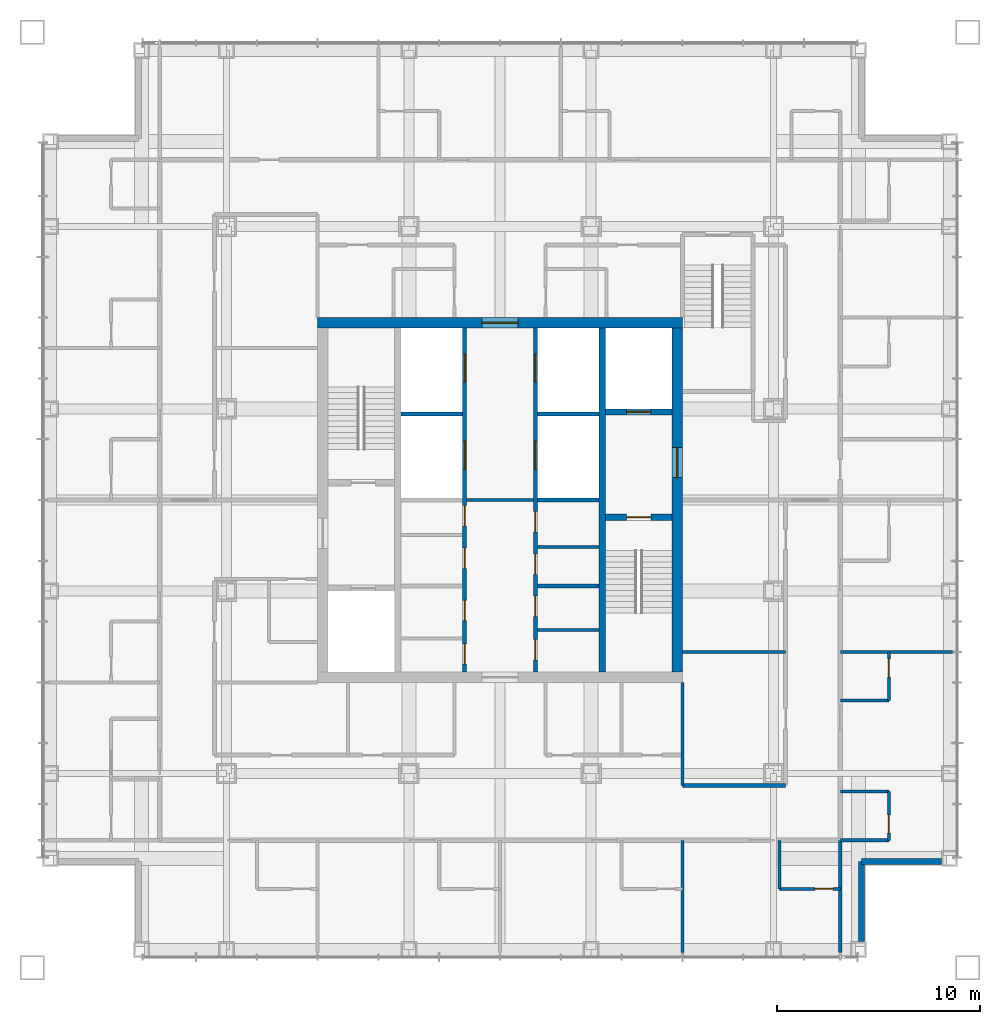
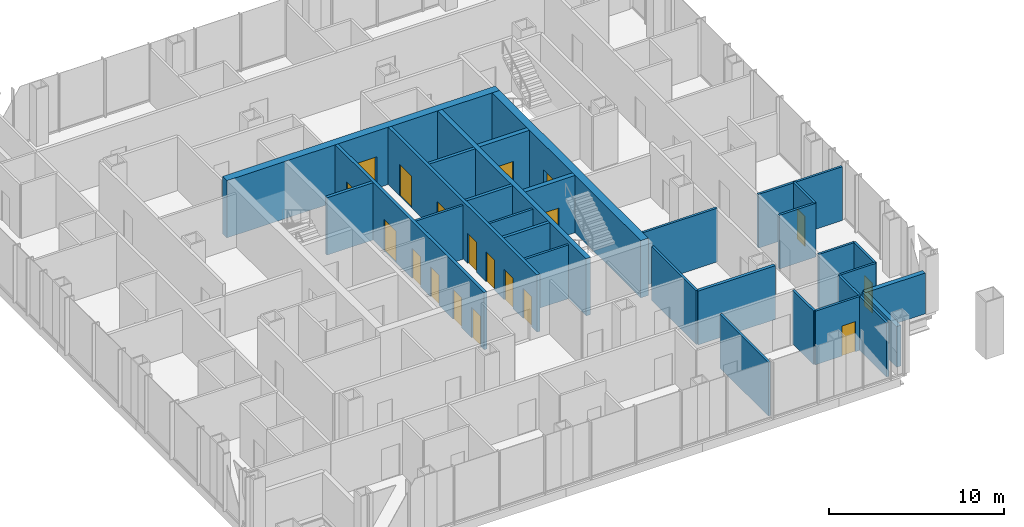
# One storey, part 8 of 15: 29 walls, 19 doors, 19 openings.
"""IFC4 building model written with IfcOpenShell, lengths in metres."""

from ifc_helpers import new_model, si_unit, direction, frame, frame_2d, origin, place, context, subcontext, project, spatial, rectangle, extrude, material, layer, layer_set, type_object, element, fill, save


model = new_model("IFC4")

# Units and contexts
model_context = context("Model", 3, precision=1e-05, world=origin(), true_north=direction((0.0, 1.0)))
body_context = subcontext(model_context, "Body", "Model", "MODEL_VIEW")
ifc_project = project(units=[si_unit("LENGTHUNIT", "METRE"), si_unit("AREAUNIT", "SQUARE_METRE"), si_unit("VOLUMEUNIT", "CUBIC_METRE"), si_unit("PLANEANGLEUNIT", "RADIAN"), si_unit("MASSUNIT", "GRAM", prefix="KILO")], contexts=[model_context])

# Site, building, storey
site_placement = place(None, origin())
site = spatial("IfcSite", under=ifc_project, at=site_placement, CompositionType="ELEMENT")
building_placement = place(site_placement, origin())
building = spatial("IfcBuilding", under=site, at=building_placement, Name="Malebo Sky Hospital", CompositionType="ELEMENT")
storey_placement = place(building_placement, frame((0.0, 0.0, 217.0)))
storey = spatial("IfcBuildingStorey", under=building, at=storey_placement, Name="L52", CompositionType="ELEMENT", Elevation=217.0)

# Wall, openings, doors
ifc_material_1 = material(Name="Concrete C80/95", Category="concrete")
ifc_layer_1 = layer(ifc_material_1, 0.199951171875)
ifc_layer_set_1 = layer_set([ifc_layer_1], Name="CORE INNER WALL 200")
wall_type_1 = type_object("IfcWallType", Name="CORE INNER WALL 200", PredefinedType="SHEAR", material=ifc_layer_set_1)
wall_1_placement = place(storey_placement, frame((58.25, 53.5, 0.0), z_axis=(0.0, 0.0, 1.0), x_axis=(0.0, 1.0, 0.0)))
wall_1 = element("IfcWall", 1, at=wall_1_placement, inside=storey, type_object=wall_type_1, Name="Core wall LW L52", PredefinedType="SHEAR", context=body_context, shape_type="SweptSolid", body=[
    extrude(rectangle(XDim=17.0, YDim=0.199951171875, at=frame_2d((8.5, 0.0))), origin(), (0.0, 0.0, 1.0), 4.0),
])
opening_1_placement = place(wall_1_placement, frame((0.392578125, 0.0, 0.0)))
opening_1 = element("IfcOpeningElement", 2, at=opening_1_placement, cuts=wall_1, Name="Opening D17", PredefinedType="OPENING", context=body_context, shape_type="SweptSolid", body=[
    extrude(rectangle(XDim=1.0, YDim=2.10009765625, at=frame_2d((0.5, 1.050048828125))), frame((0.0, 0.10986328125, 0.0), z_axis=(0.0, -1.0, 0.0), x_axis=(1.0, 0.0, 0.0)), (0.0, 0.0, 1.0), 0.219970703125),
])
opening_2_placement = place(wall_1_placement, frame((2.54248046875, 0.0, 0.0)))
opening_2 = element("IfcOpeningElement", 3, at=opening_2_placement, cuts=wall_1, Name="Opening D17", PredefinedType="OPENING", context=body_context, shape_type="SweptSolid", body=[
    extrude(rectangle(XDim=1.0, YDim=2.10009765625, at=frame_2d((0.5, 1.050048828125))), frame((0.0, 0.10986328125, 0.0), z_axis=(0.0, -1.0, 0.0), x_axis=(1.0, 0.0, 0.0)), (0.0, 0.0, 1.0), 0.219970703125),
])
opening_3_placement = place(wall_1_placement, frame((5.12744140625, 0.0, 0.0)))
opening_3 = element("IfcOpeningElement", 4, at=opening_3_placement, cuts=wall_1, Name="Opening D17", PredefinedType="OPENING", context=body_context, shape_type="SweptSolid", body=[
    extrude(rectangle(XDim=1.0, YDim=2.10009765625, at=frame_2d((0.5, 1.050048828125))), frame((0.0, 0.10986328125, 0.0), z_axis=(0.0, -1.0, 0.0), x_axis=(1.0, 0.0, 0.0)), (0.0, 0.0, 1.0), 0.219970703125),
])
opening_4_placement = place(wall_1_placement, frame((7.2275390625, 0.0, 0.0)))
opening_4 = element("IfcOpeningElement", 5, at=opening_4_placement, cuts=wall_1, Name="Opening D17", PredefinedType="OPENING", context=body_context, shape_type="SweptSolid", body=[
    extrude(rectangle(XDim=1.0, YDim=2.10009765625, at=frame_2d((0.5, 1.050048828125))), frame((0.0, 0.10986328125, 0.0), z_axis=(0.0, -1.0, 0.0), x_axis=(1.0, 0.0, 0.0)), (0.0, 0.0, 1.0), 0.219970703125),
])
opening_5_placement = place(wall_1_placement, frame((10.02490234375, 0.0, 0.0)))
opening_5 = element("IfcOpeningElement", 6, at=opening_5_placement, cuts=wall_1, Name="Opening LD1", PredefinedType="OPENING", context=body_context, shape_type="SweptSolid", body=[
    extrude(rectangle(XDim=1.39990234375, YDim=2.199951171875, at=frame_2d((0.699951171875, 1.10009765625))), frame((0.0, 0.10986328125, 0.0), z_axis=(0.0, -1.0, 0.0), x_axis=(1.0, 0.0, 0.0)), (0.0, 0.0, 1.0), 0.219970703125),
])
opening_6_placement = place(wall_1_placement, frame((14.324951171875, 0.0, 0.0)))
opening_6 = element("IfcOpeningElement", 7, at=opening_6_placement, cuts=wall_1, Name="Opening LD1", PredefinedType="OPENING", context=body_context, shape_type="SweptSolid", body=[
    extrude(rectangle(XDim=1.39990234375, YDim=2.199951171875, at=frame_2d((0.699951171875, 1.10009765625))), frame((0.0, 0.10986328125, 0.0), z_axis=(0.0, -1.0, 0.0), x_axis=(1.0, 0.0, 0.0)), (0.0, 0.0, 1.0), 0.219970703125),
])
ifc_material_2 = material(Name="Hardwood-faced door leaf in steel frame", Category="steel")
door_type_1 = type_object("IfcDoorType", Name="FIRE DOOR 1000", OperationType="SINGLE_SWING_LEFT", PredefinedType="DOOR", material=ifc_material_2)
door_1_placement = place(opening_1_placement, origin())
door_1 = element("IfcDoor", 8, at=door_1_placement, inside=storey, type_object=door_type_1, Name="Supplies store door", OperationType="SINGLE_SWING_RIGHT", OverallHeight=2.10009765625, OverallWidth=1.0, PredefinedType="DOOR", context=body_context, shape_type="SweptSolid", body=[
    extrude(rectangle(XDim=1.0, YDim=2.10009765625, at=frame_2d((0.5, 1.050048828125))), frame((0.0, 0.02490234375, 0.0), z_axis=(0.0, -1.0, 0.0), x_axis=(1.0, 0.0, 0.0)), (0.0, 0.0, 1.0), 0.050048828125),
])
fill(opening_1, door_1)
door_2_placement = place(opening_2_placement, origin())
door_2 = element("IfcDoor", 9, at=door_2_placement, inside=storey, type_object=door_type_1, Name="Mattress store door", OperationType="SINGLE_SWING_RIGHT", OverallHeight=2.10009765625, OverallWidth=1.0, PredefinedType="DOOR", context=body_context, shape_type="SweptSolid", body=[
    extrude(rectangle(XDim=1.0, YDim=2.10009765625, at=frame_2d((0.5, 1.050048828125))), frame((0.0, 0.02490234375, 0.0), z_axis=(0.0, -1.0, 0.0), x_axis=(1.0, 0.0, 0.0)), (0.0, 0.0, 1.0), 0.050048828125),
])
fill(opening_2, door_2)
door_3_placement = place(opening_3_placement, origin())
door_3 = element("IfcDoor", 10, at=door_3_placement, inside=storey, type_object=door_type_1, Name="Cleaning equipment store door", OperationType="SINGLE_SWING_RIGHT", OverallHeight=2.10009765625, OverallWidth=1.0, PredefinedType="DOOR", context=body_context, shape_type="SweptSolid", body=[
    extrude(rectangle(XDim=1.0, YDim=2.10009765625, at=frame_2d((0.5, 1.050048828125))), frame((0.0, 0.02490234375, 0.0), z_axis=(0.0, -1.0, 0.0), x_axis=(1.0, 0.0, 0.0)), (0.0, 0.0, 1.0), 0.050048828125),
])
fill(opening_3, door_3)
door_4_placement = place(opening_4_placement, origin())
door_4 = element("IfcDoor", 11, at=door_4_placement, inside=storey, type_object=door_type_1, Name="Archive store door", OperationType="SINGLE_SWING_RIGHT", OverallHeight=2.10009765625, OverallWidth=1.0, PredefinedType="DOOR", context=body_context, shape_type="SweptSolid", body=[
    extrude(rectangle(XDim=1.0, YDim=2.10009765625, at=frame_2d((0.5, 1.050048828125))), frame((0.0, 0.02490234375, 0.0), z_axis=(0.0, -1.0, 0.0), x_axis=(1.0, 0.0, 0.0)), (0.0, 0.0, 1.0), 0.050048828125),
])
fill(opening_4, door_4)
ifc_material_3 = material(Name="Stainless steel sliding landing door", Category="steel")
door_type_2 = type_object("IfcDoorType", Name="LIFT LANDING DOOR 1400", OperationType="SLIDING_TO_LEFT", PredefinedType="DOOR", material=ifc_material_3)
door_5_placement = place(opening_5_placement, origin())
door_5 = element("IfcDoor", 12, at=door_5_placement, inside=storey, type_object=door_type_2, Name="Lift W3 landing door", OperationType="SLIDING_TO_LEFT", OverallHeight=2.199951171875, OverallWidth=1.39990234375, PredefinedType="DOOR", context=body_context, shape_type="SweptSolid", body=[
    extrude(rectangle(XDim=1.39990234375, YDim=2.199951171875, at=frame_2d((0.699951171875, 1.10009765625))), frame((0.0, 0.02490234375, 0.0), z_axis=(0.0, -1.0, 0.0), x_axis=(1.0, 0.0, 0.0)), (0.0, 0.0, 1.0), 0.050048828125),
])
fill(opening_5, door_5)
door_6_placement = place(opening_6_placement, origin())
door_6 = element("IfcDoor", 13, at=door_6_placement, inside=storey, type_object=door_type_2, Name="Lift W4 landing door", OperationType="SLIDING_TO_LEFT", OverallHeight=2.199951171875, OverallWidth=1.39990234375, PredefinedType="DOOR", context=body_context, shape_type="SweptSolid", body=[
    extrude(rectangle(XDim=1.39990234375, YDim=2.199951171875, at=frame_2d((0.699951171875, 1.10009765625))), frame((0.0, 0.02490234375, 0.0), z_axis=(0.0, -1.0, 0.0), x_axis=(1.0, 0.0, 0.0)), (0.0, 0.0, 1.0), 0.050048828125),
])
fill(opening_6, door_6)

wall_2_placement = place(storey_placement, frame((61.75, 53.5, 0.0), z_axis=(0.0, 0.0, 1.0), x_axis=(0.0, 1.0, 0.0)))
wall_2 = element("IfcWall", 14, at=wall_2_placement, inside=storey, type_object=wall_type_1, Name="Core wall LE L52", PredefinedType="SHEAR", context=body_context, shape_type="SweptSolid", body=[
    extrude(rectangle(XDim=17.0, YDim=0.199951171875, at=frame_2d((8.5, 0.0))), origin(), (0.0, 0.0, 1.0), 4.0),
])
opening_7_placement = place(wall_2_placement, frame((0.60009765625, 0.0, 0.0)))
opening_7 = element("IfcOpeningElement", 15, at=opening_7_placement, cuts=wall_2, Name="Opening D17", PredefinedType="OPENING", context=body_context, shape_type="SweptSolid", body=[
    extrude(rectangle(XDim=1.0, YDim=2.10009765625, at=frame_2d((0.5, 1.050048828125))), frame((0.0, 0.10986328125, 0.0), z_axis=(0.0, -1.0, 0.0), x_axis=(1.0, 0.0, 0.0)), (0.0, 0.0, 1.0), 0.219970703125),
])
opening_8_placement = place(wall_2_placement, frame((2.75, 0.0, 0.0)))
opening_8 = element("IfcOpeningElement", 16, at=opening_8_placement, cuts=wall_2, Name="Opening D17", PredefinedType="OPENING", context=body_context, shape_type="SweptSolid", body=[
    extrude(rectangle(XDim=1.0, YDim=2.10009765625, at=frame_2d((0.5, 1.050048828125))), frame((0.0, 0.10986328125, 0.0), z_axis=(0.0, -1.0, 0.0), x_axis=(1.0, 0.0, 0.0)), (0.0, 0.0, 1.0), 0.219970703125),
])
opening_9_placement = place(wall_2_placement, frame((4.823974609375, 0.0, 0.0)))
opening_9 = element("IfcOpeningElement", 17, at=opening_9_placement, cuts=wall_2, Name="Opening D17", PredefinedType="OPENING", context=body_context, shape_type="SweptSolid", body=[
    extrude(rectangle(XDim=1.0, YDim=2.10009765625, at=frame_2d((0.5, 1.050048828125))), frame((0.0, 0.10986328125, 0.0), z_axis=(0.0, -1.0, 0.0), x_axis=(1.0, 0.0, 0.0)), (0.0, 0.0, 1.0), 0.219970703125),
])
opening_10_placement = place(wall_2_placement, frame((6.924072265625, 0.0, 0.0)))
opening_10 = element("IfcOpeningElement", 18, at=opening_10_placement, cuts=wall_2, Name="Opening D17", PredefinedType="OPENING", context=body_context, shape_type="SweptSolid", body=[
    extrude(rectangle(XDim=1.0, YDim=2.10009765625, at=frame_2d((0.5, 1.050048828125))), frame((0.0, 0.10986328125, 0.0), z_axis=(0.0, -1.0, 0.0), x_axis=(1.0, 0.0, 0.0)), (0.0, 0.0, 1.0), 0.219970703125),
])
opening_11_placement = place(wall_2_placement, frame((10.02490234375, 0.0, 0.0)))
opening_11 = element("IfcOpeningElement", 19, at=opening_11_placement, cuts=wall_2, Name="Opening LD1", PredefinedType="OPENING", context=body_context, shape_type="SweptSolid", body=[
    extrude(rectangle(XDim=1.39990234375, YDim=2.199951171875, at=frame_2d((0.699951171875, 1.10009765625))), frame((0.0, 0.10986328125, 0.0), z_axis=(0.0, -1.0, 0.0), x_axis=(1.0, 0.0, 0.0)), (0.0, 0.0, 1.0), 0.219970703125),
])
opening_12_placement = place(wall_2_placement, frame((14.324951171875, 0.0, 0.0)))
opening_12 = element("IfcOpeningElement", 20, at=opening_12_placement, cuts=wall_2, Name="Opening LD1", PredefinedType="OPENING", context=body_context, shape_type="SweptSolid", body=[
    extrude(rectangle(XDim=1.39990234375, YDim=2.199951171875, at=frame_2d((0.699951171875, 1.10009765625))), frame((0.0, 0.10986328125, 0.0), z_axis=(0.0, -1.0, 0.0), x_axis=(1.0, 0.0, 0.0)), (0.0, 0.0, 1.0), 0.219970703125),
])
door_7_placement = place(opening_7_placement, origin())
door_7 = element("IfcDoor", 21, at=door_7_placement, inside=storey, type_object=door_type_1, Name="General store door", OperationType="SINGLE_SWING_RIGHT", OverallHeight=2.10009765625, OverallWidth=1.0, PredefinedType="DOOR", context=body_context, shape_type="SweptSolid", body=[
    extrude(rectangle(XDim=1.0, YDim=2.10009765625, at=frame_2d((0.5, 1.050048828125))), frame((0.0, 0.02490234375, 0.0), z_axis=(0.0, -1.0, 0.0), x_axis=(1.0, 0.0, 0.0)), (0.0, 0.0, 1.0), 0.050048828125),
])
fill(opening_7, door_7)
door_8_placement = place(opening_8_placement, origin())
door_8 = element("IfcDoor", 22, at=door_8_placement, inside=storey, type_object=door_type_1, Name="Records store door", OperationType="SINGLE_SWING_RIGHT", OverallHeight=2.10009765625, OverallWidth=1.0, PredefinedType="DOOR", context=body_context, shape_type="SweptSolid", body=[
    extrude(rectangle(XDim=1.0, YDim=2.10009765625, at=frame_2d((0.5, 1.050048828125))), frame((0.0, 0.02490234375, 0.0), z_axis=(0.0, -1.0, 0.0), x_axis=(1.0, 0.0, 0.0)), (0.0, 0.0, 1.0), 0.050048828125),
])
fill(opening_8, door_8)
door_9_placement = place(opening_9_placement, origin())
door_9 = element("IfcDoor", 23, at=door_9_placement, inside=storey, type_object=door_type_1, Name="Equipment store door", OperationType="SINGLE_SWING_RIGHT", OverallHeight=2.10009765625, OverallWidth=1.0, PredefinedType="DOOR", context=body_context, shape_type="SweptSolid", body=[
    extrude(rectangle(XDim=1.0, YDim=2.10009765625, at=frame_2d((0.5, 1.050048828125))), frame((0.0, 0.02490234375, 0.0), z_axis=(0.0, -1.0, 0.0), x_axis=(1.0, 0.0, 0.0)), (0.0, 0.0, 1.0), 0.050048828125),
])
fill(opening_9, door_9)
door_10_placement = place(opening_10_placement, origin())
door_10 = element("IfcDoor", 24, at=door_10_placement, inside=storey, type_object=door_type_1, Name="Linen store door", OperationType="SINGLE_SWING_RIGHT", OverallHeight=2.10009765625, OverallWidth=1.0, PredefinedType="DOOR", context=body_context, shape_type="SweptSolid", body=[
    extrude(rectangle(XDim=1.0, YDim=2.10009765625, at=frame_2d((0.5, 1.050048828125))), frame((0.0, 0.02490234375, 0.0), z_axis=(0.0, -1.0, 0.0), x_axis=(1.0, 0.0, 0.0)), (0.0, 0.0, 1.0), 0.050048828125),
])
fill(opening_10, door_10)
door_11_placement = place(opening_11_placement, origin())
door_11 = element("IfcDoor", 25, at=door_11_placement, inside=storey, type_object=door_type_2, Name="Lift E3 landing door", OperationType="SLIDING_TO_LEFT", OverallHeight=2.199951171875, OverallWidth=1.39990234375, PredefinedType="DOOR", context=body_context, shape_type="SweptSolid", body=[
    extrude(rectangle(XDim=1.39990234375, YDim=2.199951171875, at=frame_2d((0.699951171875, 1.10009765625))), frame((0.0, 0.02490234375, 0.0), z_axis=(0.0, -1.0, 0.0), x_axis=(1.0, 0.0, 0.0)), (0.0, 0.0, 1.0), 0.050048828125),
])
fill(opening_11, door_11)
door_12_placement = place(opening_12_placement, origin())
door_12 = element("IfcDoor", 26, at=door_12_placement, inside=storey, type_object=door_type_2, Name="Lift E4 landing door", OperationType="SLIDING_TO_LEFT", OverallHeight=2.199951171875, OverallWidth=1.39990234375, PredefinedType="DOOR", context=body_context, shape_type="SweptSolid", body=[
    extrude(rectangle(XDim=1.39990234375, YDim=2.199951171875, at=frame_2d((0.699951171875, 1.10009765625))), frame((0.0, 0.02490234375, 0.0), z_axis=(0.0, -1.0, 0.0), x_axis=(1.0, 0.0, 0.0)), (0.0, 0.0, 1.0), 0.050048828125),
])
fill(opening_12, door_12)

# Walls
for number, where, z_axis, x_axis, name in (
    (27, (61.85009765625, 57.75, 0.0), (0.0, 0.0, 1.0), (1.0, 0.0, 0.0), "Core wall SE0 L52"),
    (28, (61.85009765625, 62.0, 0.0), (0.0, 0.0, 1.0), (1.0, 0.0, 0.0), "Core wall SE1 L52"),
    (29, (55.10009765625, 66.25, 0.0), (0.0, 0.0, 1.0), (1.0, 0.0, 0.0), "Core wall SW2 L52"),
    (30, (61.85009765625, 66.25, 0.0), (0.0, 0.0, 1.0), (1.0, 0.0, 0.0), "Core wall SE2 L52"),
):
    element("IfcWall", number, at=place(storey_placement, frame(where, z_axis=z_axis, x_axis=x_axis)), inside=storey, type_object=wall_type_1, Name=name, PredefinedType="SHEAR", context=body_context, shape_type="SweptSolid", body=[
        extrude(rectangle(XDim=3.0498046875, YDim=0.199951171875, at=frame_2d((1.52490234375, 0.0))), origin(), (0.0, 0.0, 1.0), 4.0),
    ])
ifc_layer_2 = layer(ifc_material_1, 0.300048828125)
ifc_layer_set_2 = layer_set([ifc_layer_2], Name="CORE INNER WALL 300")
wall_type_2 = type_object("IfcWallType", Name="CORE INNER WALL 300", PredefinedType="SHEAR", material=ifc_layer_set_2)
wall_3_placement = place(storey_placement, frame((65.050048828125, 53.5, 0.0), z_axis=(0.0, 0.0, 1.0), x_axis=(0.0, 1.0, 0.0)))
element("IfcWall", 31, at=wall_3_placement, inside=storey, type_object=wall_type_2, Name="Core wall XE L52", PredefinedType="SHEAR", context=body_context, shape_type="SweptSolid", body=[
    extrude(rectangle(XDim=17.0, YDim=0.300048828125, at=frame_2d((8.5, 0.0))), origin(), (0.0, 0.0, 1.0), 4.0),
])

# Wall, opening, door
wall_4_placement = place(storey_placement, frame((65.199951171875, 61.14990234375, 0.0), z_axis=(0.0, 0.0, 1.0), x_axis=(1.0, 0.0, 0.0)))
wall_4 = element("IfcWall", 32, at=wall_4_placement, inside=storey, type_object=wall_type_2, Name="Core wall E1 L52", PredefinedType="SHEAR", context=body_context, shape_type="SweptSolid", body=[
    extrude(rectangle(XDim=3.300048828125, YDim=0.300048828125, at=frame_2d((1.64990234375, 0.0))), origin(), (0.0, 0.0, 1.0), 4.0),
])
opening_13_placement = place(wall_4_placement, frame((1.050048828125, 0.0, 0.0)))
opening_13 = element("IfcOpeningElement", 33, at=opening_13_placement, cuts=wall_4, Name="Opening D08", PredefinedType="OPENING", context=body_context, shape_type="SweptSolid", body=[
    extrude(rectangle(XDim=1.199951171875, YDim=2.10009765625, at=frame_2d((0.60009765625, 1.050048828125))), frame((0.0, 0.159912109375, 0.0), z_axis=(0.0, -1.0, 0.0), x_axis=(1.0, 0.0, 0.0)), (0.0, 0.0, 1.0), 0.320068359375),
])
door_type_3 = type_object("IfcDoorType", Name="STAIR DOOR 1200", OperationType="SINGLE_SWING_LEFT", PredefinedType="DOOR", material=ifc_material_2)
door_13_placement = place(opening_13_placement, origin())
door_13 = element("IfcDoor", 34, at=door_13_placement, inside=storey, type_object=door_type_3, Name="Stair S2 door", OperationType="SINGLE_SWING_LEFT", OverallHeight=2.10009765625, OverallWidth=1.199951171875, PredefinedType="DOOR", context=body_context, shape_type="SweptSolid", body=[
    extrude(rectangle(XDim=1.199951171875, YDim=2.10009765625, at=frame_2d((0.60009765625, 1.050048828125))), frame((0.0, 0.02490234375, 0.0), z_axis=(0.0, -1.0, 0.0), x_axis=(1.0, 0.0, 0.0)), (0.0, 0.0, 1.0), 0.050048828125),
])
fill(opening_13, door_13)

wall_5_placement = place(storey_placement, frame((65.199951171875, 66.35009765625, 0.0), z_axis=(0.0, 0.0, 1.0), x_axis=(1.0, 0.0, 0.0)))
wall_5 = element("IfcWall", 35, at=wall_5_placement, inside=storey, type_object=wall_type_2, Name="Core wall E2 L52", PredefinedType="SHEAR", context=body_context, shape_type="SweptSolid", body=[
    extrude(rectangle(XDim=3.300048828125, YDim=0.300048828125, at=frame_2d((1.64990234375, 0.0))), origin(), (0.0, 0.0, 1.0), 4.0),
])
opening_14_placement = place(wall_5_placement, frame((1.050048828125, 0.0, 0.0)))
opening_14 = element("IfcOpeningElement", 36, at=opening_14_placement, cuts=wall_5, Name="Opening LD2", PredefinedType="OPENING", context=body_context, shape_type="SweptSolid", body=[
    extrude(rectangle(XDim=1.199951171875, YDim=2.199951171875, at=frame_2d((0.60009765625, 1.10009765625))), frame((0.0, 0.159912109375, 0.0), z_axis=(0.0, -1.0, 0.0), x_axis=(1.0, 0.0, 0.0)), (0.0, 0.0, 1.0), 0.320068359375),
])
door_type_4 = type_object("IfcDoorType", Name="FIRE-FIGHTING LIFT LANDING DOOR 1200", OperationType="SLIDING_TO_LEFT", PredefinedType="DOOR", material=ifc_material_3)
door_14_placement = place(opening_14_placement, origin())
door_14 = element("IfcDoor", 37, at=door_14_placement, inside=storey, type_object=door_type_4, Name="Lift FL2 landing door", OperationType="SLIDING_TO_LEFT", OverallHeight=2.199951171875, OverallWidth=1.199951171875, PredefinedType="DOOR", context=body_context, shape_type="SweptSolid", body=[
    extrude(rectangle(XDim=1.199951171875, YDim=2.199951171875, at=frame_2d((0.60009765625, 1.10009765625))), frame((0.0, 0.02490234375, 0.0), z_axis=(0.0, -1.0, 0.0), x_axis=(1.0, 0.0, 0.0)), (0.0, 0.0, 1.0), 0.050048828125),
])
fill(opening_14, door_14)

ifc_layer_3 = layer(ifc_material_1, 0.5)
ifc_layer_set_3 = layer_set([ifc_layer_3], Name="CORE WALL 500")
wall_type_3 = type_object("IfcWallType", Name="CORE WALL 500", PredefinedType="SHEAR", material=ifc_layer_set_3)
wall_6_placement = place(storey_placement, frame((51.0, 70.75, 0.0), z_axis=(0.0, 0.0, 1.0), x_axis=(1.0, 0.0, 0.0)))
wall_6 = element("IfcWall", 38, at=wall_6_placement, inside=storey, type_object=wall_type_3, Name="Core wall N L52", PredefinedType="SHEAR", context=body_context, shape_type="SweptSolid", body=[
    extrude(rectangle(XDim=18.0, YDim=0.5, at=frame_2d((9.0, 0.0))), origin(), (0.0, 0.0, 1.0), 4.0),
])
opening_15_placement = place(wall_6_placement, frame((8.10009765625, 0.0, 0.0)))
opening_15 = element("IfcOpeningElement", 39, at=opening_15_placement, cuts=wall_6, Name="Opening D06", PredefinedType="OPENING", context=body_context, shape_type="SweptSolid", body=[
    extrude(rectangle(XDim=1.800048828125, YDim=2.199951171875, at=frame_2d((0.89990234375, 1.10009765625))), frame((0.0, 0.260009765625, 0.0), z_axis=(0.0, -1.0, 0.0), x_axis=(1.0, 0.0, 0.0)), (0.0, 0.0, 1.0), 0.52001953125),
])
door_type_5 = type_object("IfcDoorType", Name="LOBBY DOOR PAIR 1800", OperationType="DOUBLE_DOOR_SINGLE_SWING", PredefinedType="DOOR", material=ifc_material_2)
door_15_placement = place(opening_15_placement, origin())
door_15 = element("IfcDoor", 40, at=door_15_placement, inside=storey, type_object=door_type_5, Name="Lift lobby door north", OperationType="DOUBLE_DOOR_SINGLE_SWING", OverallHeight=2.199951171875, OverallWidth=1.800048828125, PredefinedType="DOOR", context=body_context, shape_type="SweptSolid", body=[
    extrude(rectangle(XDim=1.800048828125, YDim=2.199951171875, at=frame_2d((0.89990234375, 1.10009765625))), frame((0.0, 0.02490234375, 0.0), z_axis=(0.0, -1.0, 0.0), x_axis=(1.0, 0.0, 0.0)), (0.0, 0.0, 1.0), 0.050048828125),
])
fill(opening_15, door_15)

wall_7_placement = place(storey_placement, frame((68.75, 53.5, 0.0), z_axis=(0.0, 0.0, 1.0), x_axis=(0.0, 1.0, 0.0)))
wall_7 = element("IfcWall", 41, at=wall_7_placement, inside=storey, type_object=wall_type_3, Name="Core wall E L52", PredefinedType="SHEAR", context=body_context, shape_type="SweptSolid", body=[
    extrude(rectangle(XDim=17.0, YDim=0.5, at=frame_2d((8.5, 0.0))), origin(), (0.0, 0.0, 1.0), 4.0),
])
opening_16_placement = place(wall_7_placement, frame((9.60009765625, 0.0, 0.0)))
opening_16 = element("IfcOpeningElement", 42, at=opening_16_placement, cuts=wall_7, Name="Opening D07", PredefinedType="OPENING", context=body_context, shape_type="SweptSolid", body=[
    extrude(rectangle(XDim=1.5, YDim=2.199951171875, at=frame_2d((0.75, 1.10009765625))), frame((0.0, 0.260009765625, 0.0), z_axis=(0.0, -1.0, 0.0), x_axis=(1.0, 0.0, 0.0)), (0.0, 0.0, 1.0), 0.52001953125),
])
door_type_6 = type_object("IfcDoorType", Name="FIRE-FIGHTING LOBBY DOOR PAIR 1500", OperationType="DOUBLE_DOOR_SINGLE_SWING", PredefinedType="DOOR", material=ifc_material_2)
door_16_placement = place(opening_16_placement, origin())
door_16 = element("IfcDoor", 43, at=door_16_placement, inside=storey, type_object=door_type_6, Name="Fire-fighting lobby door east", OperationType="DOUBLE_DOOR_SINGLE_SWING", OverallHeight=2.199951171875, OverallWidth=1.5, PredefinedType="DOOR", context=body_context, shape_type="SweptSolid", body=[
    extrude(rectangle(XDim=1.5, YDim=2.199951171875, at=frame_2d((0.75, 1.10009765625))), frame((0.0, 0.02490234375, 0.0), z_axis=(0.0, -1.0, 0.0), x_axis=(1.0, 0.0, 0.0)), (0.0, 0.0, 1.0), 0.050048828125),
])
fill(opening_16, door_16)

# Walls
ifc_material_4 = material(Name="Gypsum board on steel studs", Category="steel")
ifc_layer_4 = layer(ifc_material_4, 0.199951171875)
ifc_layer_set_4 = layer_set([ifc_layer_4], Name="CORRIDOR WALL 200")
wall_type_4 = type_object("IfcWallType", Name="CORRIDOR WALL 200", PredefinedType="PARTITIONING", material=ifc_layer_set_4)
wall_8_placement = place(storey_placement, frame((74.10009765625, 47.89990234375, 0.0), z_axis=(0.0, 0.0, 1.0), x_axis=(-1.0, 0.0, 0.0)))
element("IfcWall", 44, at=wall_8_placement, inside=storey, type_object=wall_type_4, Name="Corridor Wall 200 SCIK", PredefinedType="PARTITIONING", context=body_context, shape_type="SweptSolid", body=[
    extrude(rectangle(XDim=5.10009765625, YDim=0.199951171875, at=frame_2d((2.550048828125, 0.0))), origin(), (0.0, 0.0, 1.0), 3.75),
])
ifc_material_5 = material(Name="Anodised aluminium rainscreen on steel framing", Category="steel")
ifc_layer_5 = layer(ifc_material_5, 0.300048828125)
ifc_layer_set_5 = layer_set([ifc_layer_5], Name="NOTCH RAINSCREEN WALL 300")
wall_type_5 = type_object("IfcWallType", Name="NOTCH RAINSCREEN WALL 300", PredefinedType="ELEMENTEDWALL", material=ifc_layer_set_5)
for number, where, z_axis, x_axis, name in (
    (45, (81.800048828125, 44.14990234375, 0.0), (0.0, 0.0, 1.0), (-1.0, 0.0, 0.0), "Notch rainscreen wall E1 L52"),
    (46, (77.85009765625, 44.14990234375, 0.0), (0.0, 0.0, 1.0), (0.0, -1.0, 0.0), "Notch rainscreen wall E2 L52"),
):
    element("IfcWall", number, at=place(storey_placement, frame(where, z_axis=z_axis, x_axis=x_axis)), inside=storey, type_object=wall_type_5, Name=name, PredefinedType="ELEMENTEDWALL", context=body_context, shape_type="SweptSolid", body=[
        extrude(rectangle(XDim=3.949951171875, YDim=0.300048828125, at=frame_2d((1.97509765625, 0.0))), origin(), (0.0, 0.0, 1.0), 2.85009765625),
    ])
ifc_layer_6 = layer(ifc_material_4, 0.14990234375)
ifc_layer_set_6 = layer_set([ifc_layer_6], Name="PARTITION 150")
wall_type_6 = type_object("IfcWallType", Name="PARTITION 150", PredefinedType="PARTITIONING", material=ifc_layer_set_6)
for number, where, z_axis, x_axis, name in (
    (47, (69.0, 45.199951171875, 0.0), (0.0, 0.0, 1.0), (0.0, -1.0, 0.0), "Partition 150 SP-9.0"),
    (48, (76.800048828125, 45.199951171875, 0.0), (0.0, 0.0, 1.0), (0.0, -1.0, 0.0), "Partition 150 SP0"),
):
    element("IfcWall", number, at=place(storey_placement, frame(where, z_axis=z_axis, x_axis=x_axis)), inside=storey, type_object=wall_type_6, Name=name, PredefinedType="PARTITIONING", context=body_context, shape_type="SweptSolid", body=[
        extrude(rectangle(XDim=5.550048828125, YDim=0.14990234375, at=frame_2d((2.77490234375, 0.0))), origin(), (0.0, 0.0, 1.0), 3.75),
    ])

# Wall, opening, door
wall_9_placement = place(storey_placement, frame((76.800048828125, 42.800048828125, 0.0), z_axis=(0.0, 0.0, 1.0), x_axis=(-1.0, 0.0, 0.0)))
wall_9 = element("IfcWall", 49, at=wall_9_placement, inside=storey, type_object=wall_type_6, Name="Partition 150 SE0F", PredefinedType="PARTITIONING", context=body_context, shape_type="SweptSolid", body=[
    extrude(rectangle(XDim=3.0, YDim=0.14990234375, at=frame_2d((1.5, 0.0))), origin(), (0.0, 0.0, 1.0), 3.75),
])
opening_17_placement = place(wall_9_placement, frame((0.35009765625, 0.0, 0.0)))
opening_17 = element("IfcOpeningElement", 50, at=opening_17_placement, cuts=wall_9, Name="Opening D02", PredefinedType="OPENING", context=body_context, shape_type="SweptSolid", body=[
    extrude(rectangle(XDim=0.89990234375, YDim=2.10009765625, at=frame_2d((0.449951171875, 1.050048828125))), frame((0.0, 0.0849609375, 0.0), z_axis=(0.0, -1.0, 0.0), x_axis=(1.0, 0.0, 0.0)), (0.0, 0.0, 1.0), 0.169921875),
])
door_type_7 = type_object("IfcDoorType", Name="EN-SUITE DOOR 900", OperationType="SINGLE_SWING_LEFT", PredefinedType="DOOR", material=ifc_material_2)
door_17_placement = place(opening_17_placement, origin())
door_17 = element("IfcDoor", 51, at=door_17_placement, inside=storey, type_object=door_type_7, Name="En-suite door", OperationType="SINGLE_SWING_LEFT", OverallHeight=2.10009765625, OverallWidth=0.89990234375, PredefinedType="DOOR", context=body_context, shape_type="SweptSolid", body=[
    extrude(rectangle(XDim=0.89990234375, YDim=2.10009765625, at=frame_2d((0.449951171875, 1.050048828125))), frame((0.0, 0.02490234375, 0.0), z_axis=(0.0, -1.0, 0.0), x_axis=(1.0, 0.0, 0.0)), (0.0, 0.0, 1.0), 0.050048828125),
])
fill(opening_17, door_17)

# Walls
wall_10_placement = place(storey_placement, frame((73.800048828125, 45.199951171875, 0.0), z_axis=(0.0, 0.0, 1.0), x_axis=(0.0, -1.0, 0.0)))
element("IfcWall", 52, at=wall_10_placement, inside=storey, type_object=wall_type_6, Name="Partition 150 SE0S", PredefinedType="PARTITIONING", context=body_context, shape_type="SweptSolid", body=[
    extrude(rectangle(XDim=2.39990234375, YDim=0.14990234375, at=frame_2d((1.199951171875, 0.0))), origin(), (0.0, 0.0, 1.0), 3.75),
])
wall_11_placement = place(storey_placement, frame((69.0, 53.0, 0.0), z_axis=(0.0, 0.0, 1.0), x_axis=(0.0, -1.0, 0.0)))
element("IfcWall", 53, at=wall_11_placement, inside=storey, type_object=wall_type_6, Name="Partition 150 SSP0", PredefinedType="PARTITIONING", context=body_context, shape_type="SweptSolid", body=[
    extrude(rectangle(XDim=5.10009765625, YDim=0.14990234375, at=frame_2d((2.550048828125, 0.0))), origin(), (0.0, 0.0, 1.0), 3.75),
])
wall_12_placement = place(storey_placement, frame((76.800048828125, 54.5, 0.0), z_axis=(0.0, 0.0, 1.0), x_axis=(1.0, 0.0, 0.0)))
element("IfcWall", 54, at=wall_12_placement, inside=storey, type_object=wall_type_6, Name="Partition 150 EP+7.5", PredefinedType="PARTITIONING", context=body_context, shape_type="SweptSolid", body=[
    extrude(rectangle(XDim=5.550048828125, YDim=0.14990234375, at=frame_2d((2.77490234375, 0.0))), origin(), (0.0, 0.0, 1.0), 3.75),
])

# Wall, opening, door
wall_13_placement = place(storey_placement, frame((79.199951171875, 54.5, 0.0), z_axis=(0.0, 0.0, 1.0), x_axis=(0.0, -1.0, 0.0)))
wall_13 = element("IfcWall", 55, at=wall_13_placement, inside=storey, type_object=wall_type_6, Name="Partition 150 EE4F", PredefinedType="PARTITIONING", context=body_context, shape_type="SweptSolid", body=[
    extrude(rectangle(XDim=2.39990234375, YDim=0.14990234375, at=frame_2d((1.199951171875, 0.0))), origin(), (0.0, 0.0, 1.0), 3.75),
])
opening_18_placement = place(wall_13_placement, frame((0.35009765625, 0.0, 0.0)))
opening_18 = element("IfcOpeningElement", 56, at=opening_18_placement, cuts=wall_13, Name="Opening D02", PredefinedType="OPENING", context=body_context, shape_type="SweptSolid", body=[
    extrude(rectangle(XDim=0.89990234375, YDim=2.10009765625, at=frame_2d((0.449951171875, 1.050048828125))), frame((0.0, 0.0849609375, 0.0), z_axis=(0.0, -1.0, 0.0), x_axis=(1.0, 0.0, 0.0)), (0.0, 0.0, 1.0), 0.169921875),
])
door_18_placement = place(opening_18_placement, origin())
door_18 = element("IfcDoor", 57, at=door_18_placement, inside=storey, type_object=door_type_7, Name="En-suite door", OperationType="SINGLE_SWING_LEFT", OverallHeight=2.10009765625, OverallWidth=0.89990234375, PredefinedType="DOOR", context=body_context, shape_type="SweptSolid", body=[
    extrude(rectangle(XDim=0.89990234375, YDim=2.10009765625, at=frame_2d((0.449951171875, 1.050048828125))), frame((0.0, 0.02490234375, 0.0), z_axis=(0.0, -1.0, 0.0), x_axis=(1.0, 0.0, 0.0)), (0.0, 0.0, 1.0), 0.050048828125),
])
fill(opening_18, door_18)

# Wall
wall_14_placement = place(storey_placement, frame((76.800048828125, 52.10009765625, 0.0), z_axis=(0.0, 0.0, 1.0), x_axis=(1.0, 0.0, 0.0)))
element("IfcWall", 58, at=wall_14_placement, inside=storey, type_object=wall_type_6, Name="Partition 150 EE4S", PredefinedType="PARTITIONING", context=body_context, shape_type="SweptSolid", body=[
    extrude(rectangle(XDim=2.39990234375, YDim=0.14990234375, at=frame_2d((1.199951171875, 0.0))), origin(), (0.0, 0.0, 1.0), 3.75),
])

# Wall, opening, door
wall_15_placement = place(storey_placement, frame((79.199951171875, 47.60009765625, 0.0), z_axis=(0.0, 0.0, 1.0), x_axis=(0.0, -1.0, 0.0)))
wall_15 = element("IfcWall", 59, at=wall_15_placement, inside=storey, type_object=wall_type_6, Name="Partition 150 EG4F", PredefinedType="PARTITIONING", context=body_context, shape_type="SweptSolid", body=[
    extrude(rectangle(XDim=2.400146484375, YDim=0.14990234375, at=frame_2d((1.2001953125, 0.0))), origin(), (0.0, 0.0, 1.0), 3.75),
])
opening_19_placement = place(wall_15_placement, frame((1.14990234375, 0.0, 0.0)))
opening_19 = element("IfcOpeningElement", 60, at=opening_19_placement, cuts=wall_15, Name="Opening D02", PredefinedType="OPENING", context=body_context, shape_type="SweptSolid", body=[
    extrude(rectangle(XDim=0.89990234375, YDim=2.10009765625, at=frame_2d((0.449951171875, 1.050048828125))), frame((0.0, 0.0849609375, 0.0), z_axis=(0.0, -1.0, 0.0), x_axis=(1.0, 0.0, 0.0)), (0.0, 0.0, 1.0), 0.169921875),
])
door_19_placement = place(opening_19_placement, origin())
door_19 = element("IfcDoor", 61, at=door_19_placement, inside=storey, type_object=door_type_7, Name="En-suite door", OperationType="SINGLE_SWING_RIGHT", OverallHeight=2.10009765625, OverallWidth=0.89990234375, PredefinedType="DOOR", context=body_context, shape_type="SweptSolid", body=[
    extrude(rectangle(XDim=0.89990234375, YDim=2.10009765625, at=frame_2d((0.449951171875, 1.050048828125))), frame((0.0, 0.02490234375, 0.0), z_axis=(0.0, -1.0, 0.0), x_axis=(1.0, 0.0, 0.0)), (0.0, 0.0, 1.0), 0.050048828125),
])
fill(opening_19, door_19)

# Walls
for number, where, z_axis, x_axis, name in (
    (62, (76.800048828125, 47.60009765625, 0.0), (0.0, 0.0, 1.0), (1.0, 0.0, 0.0), "Partition 150 EG4S"),
    (63, (76.800048828125, 45.199951171875, 0.0), (0.0, 0.0, 1.0), (1.0, 0.0, 0.0), "Partition 150 EEZ"),
):
    element("IfcWall", number, at=place(storey_placement, frame(where, z_axis=z_axis, x_axis=x_axis)), inside=storey, type_object=wall_type_6, Name=name, PredefinedType="PARTITIONING", context=body_context, shape_type="SweptSolid", body=[
        extrude(rectangle(XDim=2.39990234375, YDim=0.14990234375, at=frame_2d((1.199951171875, 0.0))), origin(), (0.0, 0.0, 1.0), 3.75),
    ])
wall_16_placement = place(storey_placement, frame((69.0, 54.5, 0.0), z_axis=(0.0, 0.0, 1.0), x_axis=(1.0, 0.0, 0.0)))
element("IfcWall", 64, at=wall_16_placement, inside=storey, type_object=wall_type_6, Name="Partition 150 ESP+7.5", PredefinedType="PARTITIONING", context=body_context, shape_type="SweptSolid", body=[
    extrude(rectangle(XDim=5.10009765625, YDim=0.14990234375, at=frame_2d((2.550048828125, 0.0))), origin(), (0.0, 0.0, 1.0), 3.75),
])
for number, where, z_axis, x_axis, name in (
    (65, (61.85009765625, 55.574951171875, 0.0), (0.0, 0.0, 1.0), (1.0, 0.0, 0.0), "Partition 150 SHE1"),
    (66, (61.85009765625, 59.673095703125, 0.0), (0.0, 0.0, 1.0), (1.0, 0.0, 0.0), "Partition 150 SHE2"),
):
    element("IfcWall", number, at=place(storey_placement, frame(where, z_axis=z_axis, x_axis=x_axis)), inside=storey, type_object=wall_type_6, Name=name, PredefinedType="PARTITIONING", context=body_context, shape_type="SweptSolid", body=[
        extrude(rectangle(XDim=3.0498046875, YDim=0.14990234375, at=frame_2d((1.52490234375, 0.0))), origin(), (0.0, 0.0, 1.0), 3.75),
    ])
wall_17_placement = place(storey_placement, frame((58.35009765625, 62.0, 0.0), z_axis=(0.0, 0.0, 1.0), x_axis=(1.0, 0.0, 0.0)))
element("IfcWall", 67, at=wall_17_placement, inside=storey, type_object=wall_type_6, Name="Partition 150 LBS", PredefinedType="PARTITIONING", context=body_context, shape_type="SweptSolid", body=[
    extrude(rectangle(XDim=3.2998046875, YDim=0.14990234375, at=frame_2d((1.64990234375, 0.0))), origin(), (0.0, 0.0, 1.0), 3.75),
])

save(model, "model.ifc")
